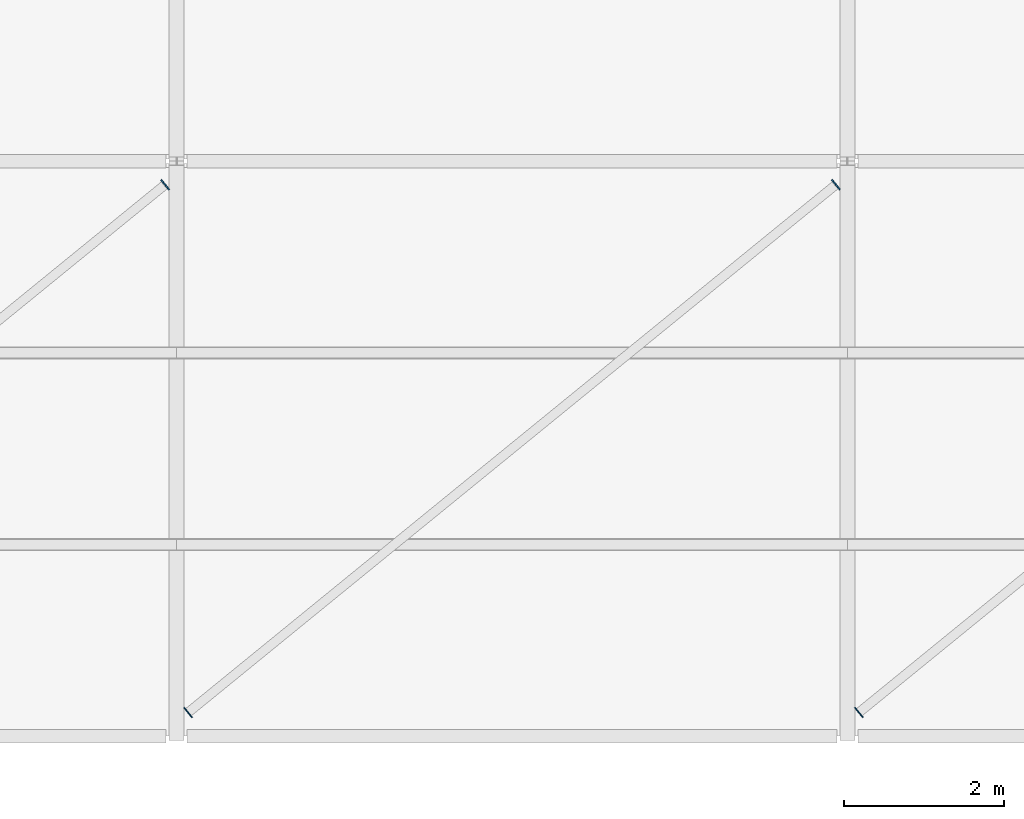
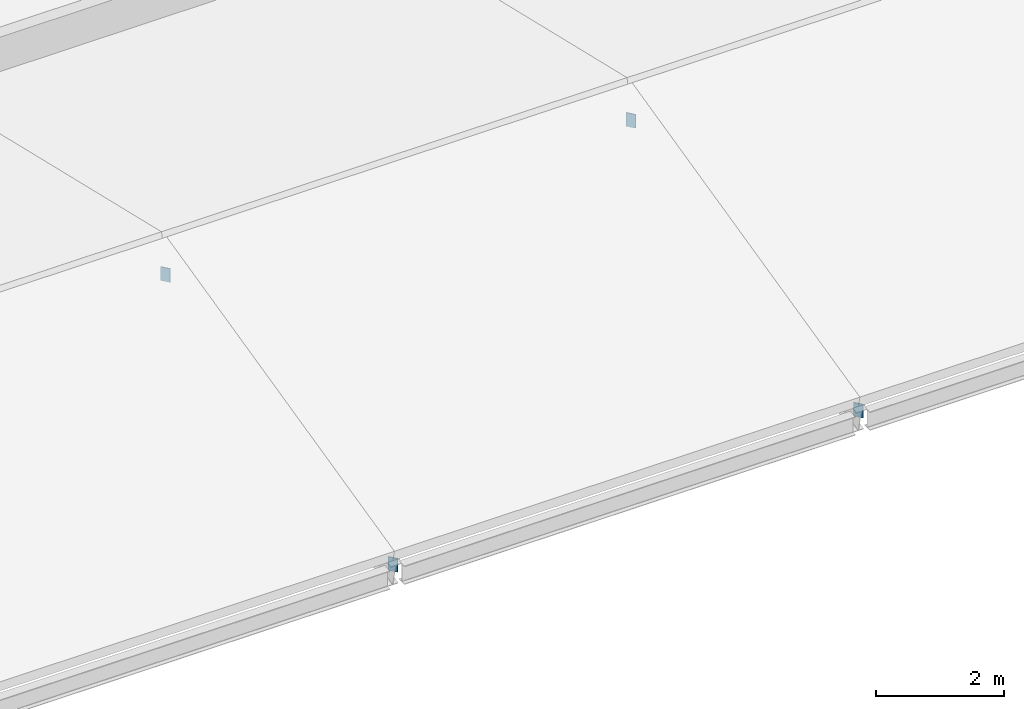
# One storey, part 37 of 79: 4 plates.
"""IFC4 building model written with IfcOpenShell, lengths in metres."""

from ifc_helpers import new_model, si_unit, derived_unit, direction, frame, origin, origin_2d, place, context, subcontext, project, spatial, rectangle, extrude, material, layer, layer_set, type_object, element, save


model = new_model("IFC4")

# Units and contexts
model_context = context("Model", 3, precision=1e-05, world=origin(), true_north=direction((0.0, 1.0)))
body_context = subcontext(model_context, "Body", "Model", "MODEL_VIEW")
ifc_project = project(units=[si_unit("LENGTHUNIT", "METRE"), si_unit("AREAUNIT", "SQUARE_METRE"), si_unit("VOLUMEUNIT", "CUBIC_METRE"), si_unit("PLANEANGLEUNIT", "RADIAN"), si_unit("MASSUNIT", "GRAM", prefix="KILO"), derived_unit("THERMALTRANSMITTANCEUNIT", [(si_unit("POWERUNIT", "WATT"), 1), (si_unit("LENGTHUNIT", "METRE"), -2), (si_unit("THERMODYNAMICTEMPERATUREUNIT", "KELVIN"), -1)])], contexts=[model_context])

# Site, building, storey
site_placement = place(None, origin())
site = spatial("IfcSite", under=ifc_project, at=site_placement, CompositionType="ELEMENT")
building_placement = place(site_placement, origin())
building = spatial("IfcBuilding", under=site, at=building_placement, Name="Veybourne Emporium", CompositionType="ELEMENT")
storey_placement = place(building_placement, frame((0.0, 0.0, 18.89990234375)))
storey = spatial("IfcBuildingStorey", under=building, at=storey_placement, Name="L04", CompositionType="ELEMENT", Elevation=18.89990234375)

# Plates
ifc_material = material(Name="Steel S355", Category="steel")
ifc_layer = layer(ifc_material, 0.01611328125)
ifc_layer_set = layer_set([ifc_layer], Name="Steel S355")
plate_type = type_object("IfcPlateType", Name="NodePlate_CP-01", PredefinedType="USERDEFINED", material=ifc_layer_set)
for number, where, z_axis, x_axis, name in (
    (1, (109.05615234375, 6.905029296875, 1.59130859375), (0.0, 0.0, 1.0), (0.77527531223, 0.631623456061, 0.0), "Welded hollow-section end cap plate CP-01 (FHBR-01-B)"),
    (2, (109.34375, 0.294921875, -0.03125), (0.0, 0.0, 1.0), (0.77527531223, 0.631623456061, 0.0), "Welded hollow-section end cap plate CP-01 (FHBR-02-A)"),
    (3, (117.4560546875, 6.905029296875, 1.59130859375), (0.0, 0.0, 1.0), (0.77527531223, 0.631623456061, 0.0), "Welded hollow-section end cap plate CP-01 (FHBR-02-B)"),
    (4, (117.743896484375, 0.294921875, -0.03125), (0.0, 0.0, 1.0), (0.77527531223, 0.631623456061, 0.0), "Welded hollow-section end cap plate CP-01 (FHBR-03-A)"),
):
    element("IfcPlate", number, at=place(storey_placement, frame(where, z_axis=z_axis, x_axis=x_axis)), inside=storey, type_object=plate_type, Name=name, ObjectType="CAP_PLATE", PredefinedType="USERDEFINED", context=body_context, shape_type="SweptSolid", body=[
        extrude(rectangle(XDim=0.01611328125, YDim=0.159912109375, at=origin_2d()), origin(), (0.0, 0.0, 1.0), 0.260009765625),
    ])

save(model, "model.ifc")
